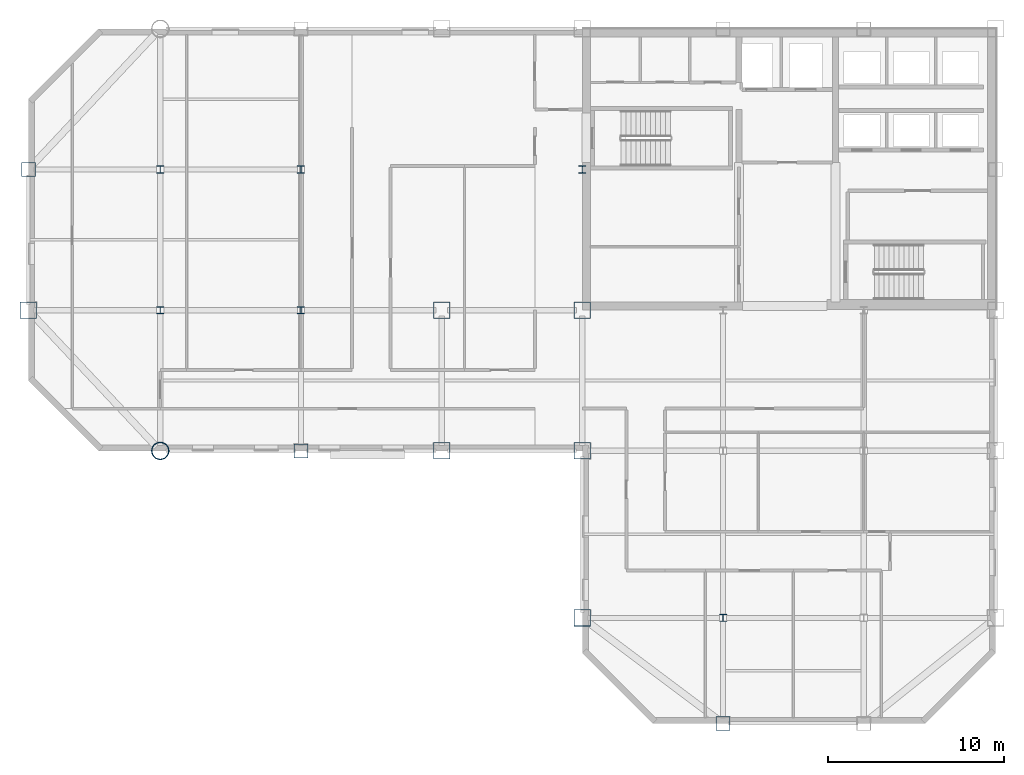
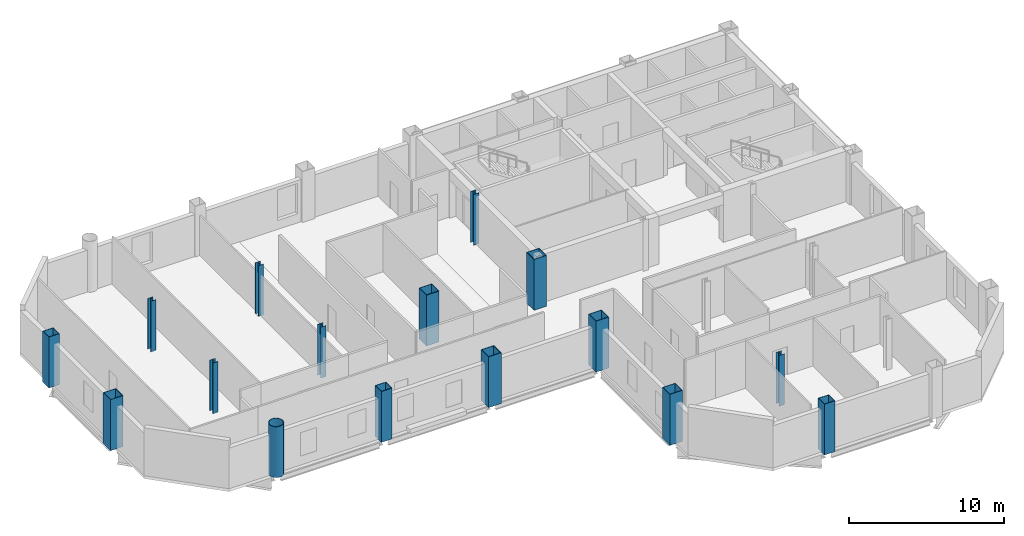
# One storey, part 1 of 9: 16 columns.
"""IFC4 building model written with IfcOpenShell, lengths in metres."""

from ifc_helpers import new_model, si_unit, direction, frame, origin, origin_2d, place, context, subcontext, project, spatial, hollow_rectangle, hollow_circle, i_section, extrude, material, material_profile, profile_set, type_object, element, save


model = new_model("IFC4")

# Units and contexts
model_context = context("Model", 3, precision=1e-05, world=origin(), true_north=direction((0.0, 1.0)))
body_context = subcontext(model_context, "Body", "Model", "MODEL_VIEW")
ifc_project = project(units=[si_unit("LENGTHUNIT", "METRE"), si_unit("AREAUNIT", "SQUARE_METRE"), si_unit("VOLUMEUNIT", "CUBIC_METRE"), si_unit("PLANEANGLEUNIT", "RADIAN"), si_unit("MASSUNIT", "GRAM", prefix="KILO")], contexts=[model_context])

# Site, building, storey
site_placement = place(None, origin())
site = spatial("IfcSite", under=ifc_project, at=site_placement, CompositionType="ELEMENT")
building_placement = place(site_placement, origin())
building = spatial("IfcBuilding", under=site, at=building_placement, Name="Qianrong Seaharbour Tower", CompositionType="ELEMENT")
storey_placement = place(building_placement, frame((0.0, 0.0, 269.800048828125)))
storey = spatial("IfcBuildingStorey", under=building, at=storey_placement, Name="L65", CompositionType="ELEMENT", Elevation=269.800048828125)

# Columns
ifc_material = material(Name="Structural steel SN490B", Category="steel")
ifc_material_profile_1 = material_profile(ifc_material, hollow_rectangle(XDim=0.949951171875, YDim=0.949951171875, WallThickness=0.035888671875, at=origin_2d()), Name="BOX950x950x36")
ifc_profile_set_1 = profile_set([ifc_material_profile_1], Name="Structural steel SN490B")
column_type_1 = type_object("IfcColumnType", Name="COL-CFT-950", PredefinedType="COLUMN", material=ifc_profile_set_1)
for number, where, z_axis, x_axis, name in (
    (1, (9.0, 36.0, 0.0), (0.0, 0.0, 1.0), (1.0, 0.0, 0.0), "L65 Column MC-4 at G2/GF"),
    (2, (32.5, 28.0, 0.0), (0.0, 0.0, 1.0), (1.0, 0.0, 0.0), "L65 Column MC-4 at G5/GE"),
    (3, (32.5, 36.0, 0.0), (0.0, 0.0, 1.0), (1.0, 0.0, 0.0), "L65 Column MC-4 at G5/GF"),
    (4, (40.5, 18.5, 0.0), (0.0, 0.0, 1.0), (1.0, 0.0, 0.0), "L65 Column MC-4 at G6/GD"),
    (5, (40.5, 28.0, 0.0), (0.0, 0.0, 1.0), (1.0, 0.0, 0.0), "L65 Column MC-4 at G6/GE"),
    (6, (40.5, 36.0, 0.0), (0.0, 0.0, 1.0), (1.0, 0.0, 0.0), "L65 Column MC-4 at G6/GF"),
):
    element("IfcColumn", number, at=place(storey_placement, frame(where, z_axis=z_axis, x_axis=x_axis)), inside=storey, type_object=column_type_1, Name=name, PredefinedType="COLUMN", context=body_context, shape_type="SweptSolid", body=[
        extrude(hollow_rectangle(XDim=0.949951171875, YDim=0.949951171875, WallThickness=0.035888671875, at=origin_2d()), origin(), (0.0, 0.0, 1.0), 4.0),
    ])
ifc_material_profile_2 = material_profile(ifc_material, hollow_circle(Radius=0.5, WallThickness=0.035888671875, at=origin_2d()), Name="CHS1000x36")
ifc_profile_set_2 = profile_set([ifc_material_profile_2], Name="Structural steel SN490B")
column_type_2 = type_object("IfcColumnType", Name="COL-CHS-1000", PredefinedType="COLUMN", material=ifc_profile_set_2)
column_placement = place(storey_placement, frame((16.5, 28.0, 0.0), z_axis=(0.0, 0.0, 1.0), x_axis=(1.0, 0.0, 0.0)))
element("IfcColumn", 7, at=column_placement, inside=storey, type_object=column_type_2, Name="L65 Column CC-2 at G3/GE", PredefinedType="COLUMN", context=body_context, shape_type="SweptSolid", body=[
    extrude(hollow_circle(Radius=0.5, WallThickness=0.035888671875, at=origin_2d()), origin(), (0.0, 0.0, 1.0), 4.0),
])
ifc_material_profile_3 = material_profile(ifc_material, i_section(OverallWidth=0.39990234375, OverallDepth=0.39990234375, WebThickness=0.012939453125, FlangeThickness=0.02099609375, FilletRadius=0.02197265625, at=origin_2d()), Name="H400x400x13x21")
ifc_profile_set_3 = profile_set([ifc_material_profile_3], Name="Structural steel SN490B")
column_type_3 = type_object("IfcColumnType", Name="COL-INT-H400", PredefinedType="COLUMN", material=ifc_profile_set_3)
for number, where, z_axis, x_axis, name in (
    (8, (16.5, 36.0, 0.0), (0.0, 0.0, 1.0), (1.0, 0.0, 0.0), "L65 Column IC-3 at G3/GF"),
    (9, (16.5, 44.0, 0.0), (0.0, 0.0, 1.0), (1.0, 0.0, 0.0), "L65 Column IC-3 at G3/GG"),
    (10, (24.5, 36.0, 0.0), (0.0, 0.0, 1.0), (1.0, 0.0, 0.0), "L65 Column IC-3 at G4/GF"),
    (11, (24.5, 44.0, 0.0), (0.0, 0.0, 1.0), (1.0, 0.0, 0.0), "L65 Column IC-3 at G4/GG"),
    (12, (40.5, 44.0, 0.0), (0.0, 0.0, 1.0), (1.0, 0.0, 0.0), "L65 Column IC-3 at G6/GG"),
    (13, (48.5, 18.5, 0.0), (0.0, 0.0, 1.0), (1.0, 0.0, 0.0), "L65 Column IC-3 at G7/GD"),
):
    element("IfcColumn", number, at=place(storey_placement, frame(where, z_axis=z_axis, x_axis=x_axis)), inside=storey, type_object=column_type_3, Name=name, PredefinedType="COLUMN", context=body_context, shape_type="SweptSolid", body=[
        extrude(i_section(OverallWidth=0.39990234375, OverallDepth=0.39990234375, WebThickness=0.012939453125, FlangeThickness=0.02099609375, FilletRadius=0.02197265625, at=origin_2d()), origin(), (0.0, 0.0, 1.0), 4.0),
    ])
ifc_material_profile_4 = material_profile(ifc_material, hollow_rectangle(XDim=0.800048828125, YDim=0.800048828125, WallThickness=0.031982421875, at=origin_2d()), Name="BOX800x800x32")
ifc_profile_set_4 = profile_set([ifc_material_profile_4], Name="Structural steel SN490B")
column_type_4 = type_object("IfcColumnType", Name="COL-PER-800", PredefinedType="COLUMN", material=ifc_profile_set_4)
for number, where, z_axis, x_axis, name in (
    (14, (9.0, 44.0, 0.0), (0.0, 0.0, 1.0), (1.0, 0.0, 0.0), "L65 Column PC-3 at G2/GG"),
    (15, (24.5, 28.0, 0.0), (0.0, 0.0, 1.0), (1.0, 0.0, 0.0), "L65 Column PC-3 at G4/GE"),
    (16, (48.5, 12.5, 0.0), (0.0, 0.0, 1.0), (1.0, 0.0, 0.0), "L65 Column PC-3 at G7/GC"),
):
    element("IfcColumn", number, at=place(storey_placement, frame(where, z_axis=z_axis, x_axis=x_axis)), inside=storey, type_object=column_type_4, Name=name, PredefinedType="COLUMN", context=body_context, shape_type="SweptSolid", body=[
        extrude(hollow_rectangle(XDim=0.800048828125, YDim=0.800048828125, WallThickness=0.031982421875, at=origin_2d()), origin(), (0.0, 0.0, 1.0), 4.0),
    ])

save(model, "model.ifc")
